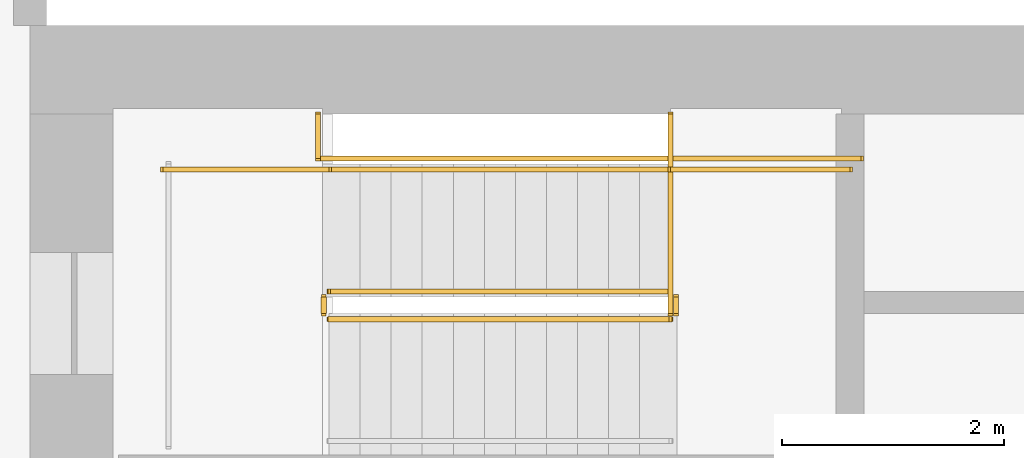
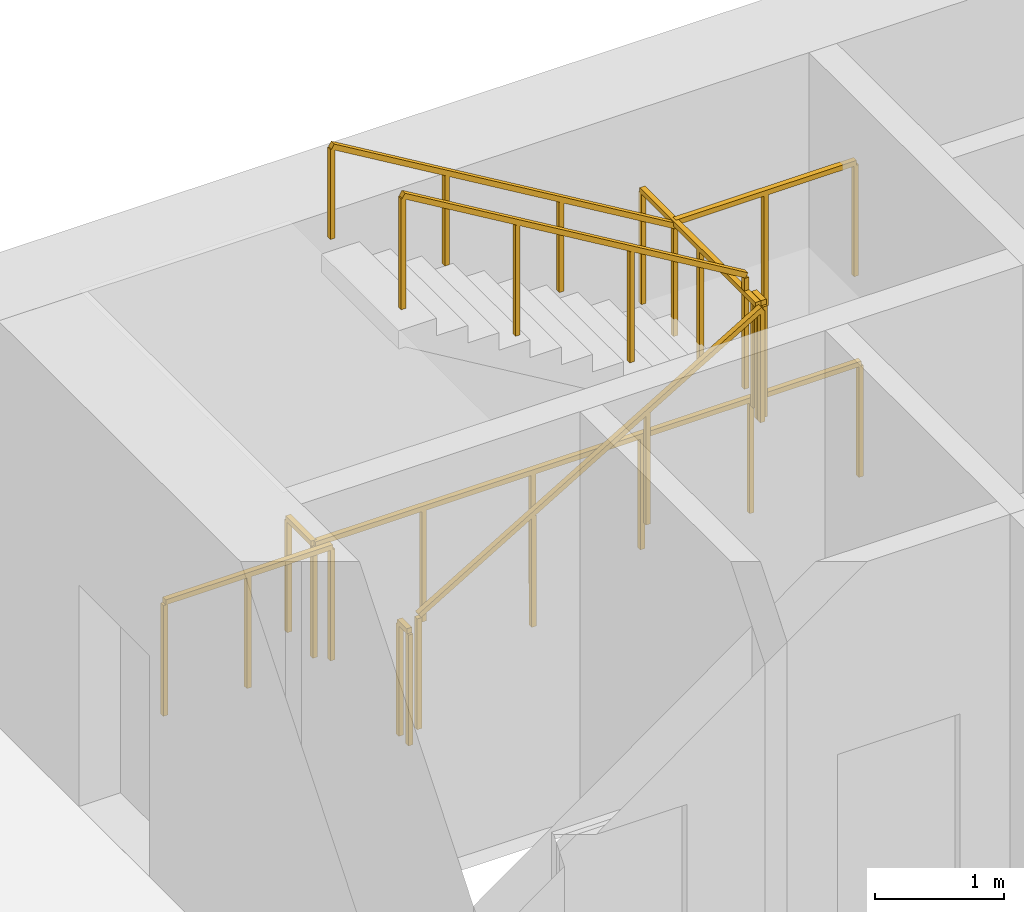
# One storey, part 12 of 12: 10 railings.
"""IFC4 building model written with IfcOpenShell, lengths in metres."""

from ifc_helpers import new_model, si_unit, direction, frame, origin, origin_2d, place, context, subcontext, project, spatial, rectangle, extrude, material, type_object, element, save


model = new_model("IFC4")

# Units and contexts
model_context = context("Model", 3, precision=1e-05, world=origin(), true_north=direction((0.0, 1.0)))
body_context = subcontext(model_context, "Body", "Model", "MODEL_VIEW")
ifc_project = project(units=[si_unit("LENGTHUNIT", "METRE"), si_unit("AREAUNIT", "SQUARE_METRE"), si_unit("VOLUMEUNIT", "CUBIC_METRE"), si_unit("PLANEANGLEUNIT", "RADIAN"), si_unit("MASSUNIT", "GRAM", prefix="KILO")], contexts=[model_context])

# Site, building, storey
site_placement = place(None, origin())
site = spatial("IfcSite", under=ifc_project, at=site_placement, CompositionType="ELEMENT")
building_placement = place(site_placement, origin())
building = spatial("IfcBuilding", under=site, at=building_placement, Name="Sennacour Bend Tower", CompositionType="ELEMENT")
storey_placement = place(building_placement, frame((0.0, 0.0, 273.0)))
storey = spatial("IfcBuildingStorey", under=building, at=storey_placement, Name="L63", CompositionType="ELEMENT", Elevation=273.0)

# Railings
ifc_material = material(Name="Stainless steel", Category="steel")
railing_type_1 = type_object("IfcRailingType", Name="RL-GUARD-1100", PredefinedType="GUARDRAIL", material=ifc_material)
railing_1_placement = place(storey_placement, frame((56.699951171875, 19.85009765625, 0.166748046875)))
element("IfcRailing", 1, at=railing_1_placement, inside=storey, type_object=railing_type_1, Name="L63 SA2 stair guard 1", PredefinedType="GUARDRAIL", context=body_context, shape_type="SweptSolid", body=[
    extrude(rectangle(XDim=0.048095703125, YDim=0.048095703125, at=origin_2d()), frame((0.0, 0.0, 1.076171875), z_axis=(0.859308565015, 0.0, 0.511457515432), x_axis=(0.0, 1.0, 0.0)), (0.0, 0.0, 1.0), 3.58447265625),
    extrude(rectangle(XDim=0.0419921875, YDim=0.0419921875, at=origin_2d()), origin(), (0.0, 0.0, 1.0), 1.052001953125),
    extrude(rectangle(XDim=0.0419921875, YDim=0.0419921875, at=origin_2d()), frame((1.026611328125, 0.0, 0.611083984375)), (0.0, 0.0, 1.0), 1.052001953125),
    extrude(rectangle(XDim=0.0419921875, YDim=0.0419921875, at=origin_2d()), frame((2.053466796875, 0.0, 1.22216796875)), (0.0, 0.0, 1.0), 1.052001953125),
    extrude(rectangle(XDim=0.0419921875, YDim=0.0419921875, at=origin_2d()), frame((3.080078125, 0.0, 1.833251953125)), (0.0, 0.0, 1.0), 1.052001953125),
])
railing_2_placement = place(storey_placement, frame((59.830078125, 19.89990234375, 2.0)))
element("IfcRailing", 2, at=railing_2_placement, inside=storey, type_object=railing_type_1, Name="L63 SA2 stair guard 2", PredefinedType="GUARDRAIL", context=body_context, shape_type="SweptSolid", body=[
    extrude(rectangle(XDim=0.048095703125, YDim=0.048095703125, at=origin_2d()), frame((0.0, 0.0, 1.076171875), z_axis=(0.0, 1.0, 0.0), x_axis=(-1.0, 0.0, 0.0)), (0.0, 0.0, 1.0), 0.150146484375),
    extrude(rectangle(XDim=0.0419921875, YDim=0.0419921875, at=origin_2d()), origin(), (0.0, 0.0, 1.0), 1.052001953125),
    extrude(rectangle(XDim=0.0419921875, YDim=0.0419921875, at=origin_2d()), frame((0.0, 0.150146484375, 0.0)), (0.0, 0.0, 1.0), 1.052001953125),
])
railing_3_placement = place(storey_placement, frame((59.780029296875, 21.199951171875, 2.0)))
element("IfcRailing", 3, at=railing_3_placement, inside=storey, type_object=railing_type_1, Name="L63 SA2 stair guard 3", PredefinedType="GUARDRAIL", context=body_context, shape_type="SweptSolid", body=[
    extrude(rectangle(XDim=0.048095703125, YDim=0.048095703125, at=origin_2d()), frame((0.0, 0.0, 1.076171875), z_axis=(1.0, 0.0, 0.0), x_axis=(0.0, 1.0, 0.0)), (0.0, 0.0, 1.0), 1.619873046875),
    extrude(rectangle(XDim=0.0419921875, YDim=0.0419921875, at=origin_2d()), origin(), (0.0, 0.0, 1.0), 1.052001953125),
    extrude(rectangle(XDim=0.0419921875, YDim=0.0419921875, at=origin_2d()), frame((0.81005859375, 0.0, 0.0)), (0.0, 0.0, 1.0), 1.052001953125),
    extrude(rectangle(XDim=0.0419921875, YDim=0.0419921875, at=origin_2d()), frame((1.619873046875, 0.0, 0.0)), (0.0, 0.0, 1.0), 1.052001953125),
])
railing_4_placement = place(storey_placement, frame((59.780029296875, 20.10009765625, 2.166748046875)))
element("IfcRailing", 4, at=railing_4_placement, inside=storey, type_object=railing_type_1, Name="L63 SA2 stair guard 4", PredefinedType="GUARDRAIL", context=body_context, shape_type="SweptSolid", body=[
    extrude(rectangle(XDim=0.048095703125, YDim=0.048095703125, at=origin_2d()), frame((0.0, 0.0, 1.076171875), z_axis=(-0.859308565015, 0.0, 0.511457515432), x_axis=(0.0, -1.0, 0.0)), (0.0, 0.0, 1.0), 3.58447265625),
    extrude(rectangle(XDim=0.0419921875, YDim=0.0419921875, at=origin_2d()), origin(), (0.0, 0.0, 1.0), 1.052001953125),
    extrude(rectangle(XDim=0.0419921875, YDim=0.0419921875, at=origin_2d()), frame((-1.026611328125, 0.0, 0.611083984375)), (0.0, 0.0, 1.0), 1.052001953125),
    extrude(rectangle(XDim=0.0419921875, YDim=0.0419921875, at=origin_2d()), frame((-2.053466796875, 0.0, 1.22216796875)), (0.0, 0.0, 1.0), 1.052001953125),
    extrude(rectangle(XDim=0.0419921875, YDim=0.0419921875, at=origin_2d()), frame((-3.080078125, 0.0, 1.833251953125)), (0.0, 0.0, 1.0), 1.052001953125),
])
railing_5_placement = place(storey_placement, frame((56.64990234375, 19.89990234375, 0.0)))
element("IfcRailing", 5, at=railing_5_placement, inside=storey, type_object=railing_type_1, Name="L63 SA2 stair guard 5", PredefinedType="GUARDRAIL", context=body_context, shape_type="SweptSolid", body=[
    extrude(rectangle(XDim=0.048095703125, YDim=0.048095703125, at=origin_2d()), frame((0.0, 0.0, 1.076171875), z_axis=(0.0, 1.0, 0.0), x_axis=(-1.0, 0.0, 0.0)), (0.0, 0.0, 1.0), 0.150146484375),
    extrude(rectangle(XDim=0.0419921875, YDim=0.0419921875, at=origin_2d()), origin(), (0.0, 0.0, 1.0), 1.052001953125),
    extrude(rectangle(XDim=0.0419921875, YDim=0.0419921875, at=origin_2d()), frame((0.0, 0.150146484375, 0.0)), (0.0, 0.0, 1.0), 1.052001953125),
])
railing_6_placement = place(storey_placement, frame((55.199951171875, 21.199951171875, 0.0)))
element("IfcRailing", 6, at=railing_6_placement, inside=storey, type_object=railing_type_1, Name="L63 SA2 stair guard 6", PredefinedType="GUARDRAIL", context=body_context, shape_type="SweptSolid", body=[
    extrude(rectangle(XDim=0.048095703125, YDim=0.048095703125, at=origin_2d()), frame((0.0, 0.0, 1.076171875), z_axis=(1.0, 0.0, 0.0), x_axis=(0.0, 1.0, 0.0)), (0.0, 0.0, 1.0), 1.5),
    extrude(rectangle(XDim=0.0419921875, YDim=0.0419921875, at=origin_2d()), origin(), (0.0, 0.0, 1.0), 1.052001953125),
    extrude(rectangle(XDim=0.0419921875, YDim=0.0419921875, at=origin_2d()), frame((0.75, 0.0, 0.0)), (0.0, 0.0, 1.0), 1.052001953125),
    extrude(rectangle(XDim=0.0419921875, YDim=0.0419921875, at=origin_2d()), frame((1.5, 0.0, 0.0)), (0.0, 0.0, 1.0), 1.052001953125),
])
railing_7_placement = place(storey_placement, frame((56.60009765625, 21.300048828125, 0.0)))
element("IfcRailing", 7, at=railing_7_placement, inside=storey, type_object=railing_type_1, Name="L63 SA2 stair guard 8", PredefinedType="GUARDRAIL", context=body_context, shape_type="SweptSolid", body=[
    extrude(rectangle(XDim=0.048095703125, YDim=0.048095703125, at=origin_2d()), frame((0.0, 0.0, 1.076171875), z_axis=(1.0, 0.0, 0.0), x_axis=(0.0, 1.0, 0.0)), (0.0, 0.0, 1.0), 4.89990234375),
    extrude(rectangle(XDim=0.0419921875, YDim=0.0419921875, at=origin_2d()), origin(), (0.0, 0.0, 1.0), 1.052001953125),
    extrude(rectangle(XDim=0.0419921875, YDim=0.0419921875, at=origin_2d()), frame((0.97998046875, 0.0, 0.0)), (0.0, 0.0, 1.0), 1.052001953125),
    extrude(rectangle(XDim=0.0419921875, YDim=0.0419921875, at=origin_2d()), frame((1.9599609375, 0.0, 0.0)), (0.0, 0.0, 1.0), 1.052001953125),
    extrude(rectangle(XDim=0.0419921875, YDim=0.0419921875, at=origin_2d()), frame((2.93994140625, 0.0, 0.0)), (0.0, 0.0, 1.0), 1.052001953125),
    extrude(rectangle(XDim=0.0419921875, YDim=0.0419921875, at=origin_2d()), frame((3.919921875, 0.0, 0.0)), (0.0, 0.0, 1.0), 1.052001953125),
    extrude(rectangle(XDim=0.0419921875, YDim=0.0419921875, at=origin_2d()), frame((4.89990234375, 0.0, 0.0)), (0.0, 0.0, 1.0), 1.052001953125),
])
railing_8_placement = place(storey_placement, frame((59.780029296875, 19.89990234375, 2.0)))
element("IfcRailing", 8, at=railing_8_placement, inside=storey, type_object=railing_type_1, Name="L63 SA2 landing edge guard 83", PredefinedType="GUARDRAIL", context=body_context, shape_type="SweptSolid", body=[
    extrude(rectangle(XDim=0.048095703125, YDim=0.048095703125, at=origin_2d()), frame((0.0, 0.0, 1.076171875), z_axis=(0.0, 1.0, 0.0), x_axis=(-1.0, 0.0, 0.0)), (0.0, 0.0, 1.0), 1.800048828125),
    extrude(rectangle(XDim=0.0419921875, YDim=0.0419921875, at=origin_2d()), origin(), (0.0, 0.0, 1.0), 1.052001953125),
    extrude(rectangle(XDim=0.0419921875, YDim=0.0419921875, at=origin_2d()), frame((0.0, 0.89990234375, 0.0)), (0.0, 0.0, 1.0), 1.052001953125),
    extrude(rectangle(XDim=0.0419921875, YDim=0.0419921875, at=origin_2d()), frame((0.0, 1.800048828125, 0.0)), (0.0, 0.0, 1.0), 1.052001953125),
])
railing_9_placement = place(storey_placement, frame((56.60009765625, 21.300048828125, 0.0)))
element("IfcRailing", 9, at=railing_9_placement, inside=storey, type_object=railing_type_1, Name="L63 SA2 landing edge guard 117", PredefinedType="GUARDRAIL", context=body_context, shape_type="SweptSolid", body=[
    extrude(rectangle(XDim=0.048095703125, YDim=0.048095703125, at=origin_2d()), frame((0.0, 0.0, 1.076171875), z_axis=(0.0, 1.0, 0.0), x_axis=(-1.0, 0.0, 0.0)), (0.0, 0.0, 1.0), 0.39990234375),
    extrude(rectangle(XDim=0.0419921875, YDim=0.0419921875, at=origin_2d()), origin(), (0.0, 0.0, 1.0), 1.052001953125),
    extrude(rectangle(XDim=0.0419921875, YDim=0.0419921875, at=origin_2d()), frame((0.0, 0.39990234375, 0.0)), (0.0, 0.0, 1.0), 1.052001953125),
])
railing_type_2 = type_object("IfcRailingType", Name="RL-HANDRAIL-900", PredefinedType="HANDRAIL", material=ifc_material)
railing_10_placement = place(storey_placement, frame((59.780029296875, 21.199951171875, 2.166748046875)))
element("IfcRailing", 10, at=railing_10_placement, inside=storey, type_object=railing_type_2, Name="L63 SA2 stair handrail 2", PredefinedType="HANDRAIL", context=body_context, shape_type="SweptSolid", body=[
    extrude(rectangle(XDim=0.048095703125, YDim=0.048095703125, at=origin_2d()), frame((0.0, 0.0, 0.8759765625), z_axis=(-0.859308565015, 0.0, 0.511457515432), x_axis=(0.0, -1.0, 0.0)), (0.0, 0.0, 1.0), 3.58447265625),
    extrude(rectangle(XDim=0.0419921875, YDim=0.0419921875, at=origin_2d()), origin(), (0.0, 0.0, 1.0), 0.851806640625),
    extrude(rectangle(XDim=0.0419921875, YDim=0.0419921875, at=origin_2d()), frame((-1.026611328125, 0.0, 0.611083984375)), (0.0, 0.0, 1.0), 0.851806640625),
    extrude(rectangle(XDim=0.0419921875, YDim=0.0419921875, at=origin_2d()), frame((-2.053466796875, 0.0, 1.22216796875)), (0.0, 0.0, 1.0), 0.851806640625),
    extrude(rectangle(XDim=0.0419921875, YDim=0.0419921875, at=origin_2d()), frame((-3.080078125, 0.0, 1.833251953125)), (0.0, 0.0, 1.0), 0.851806640625),
])

save(model, "model.ifc")
